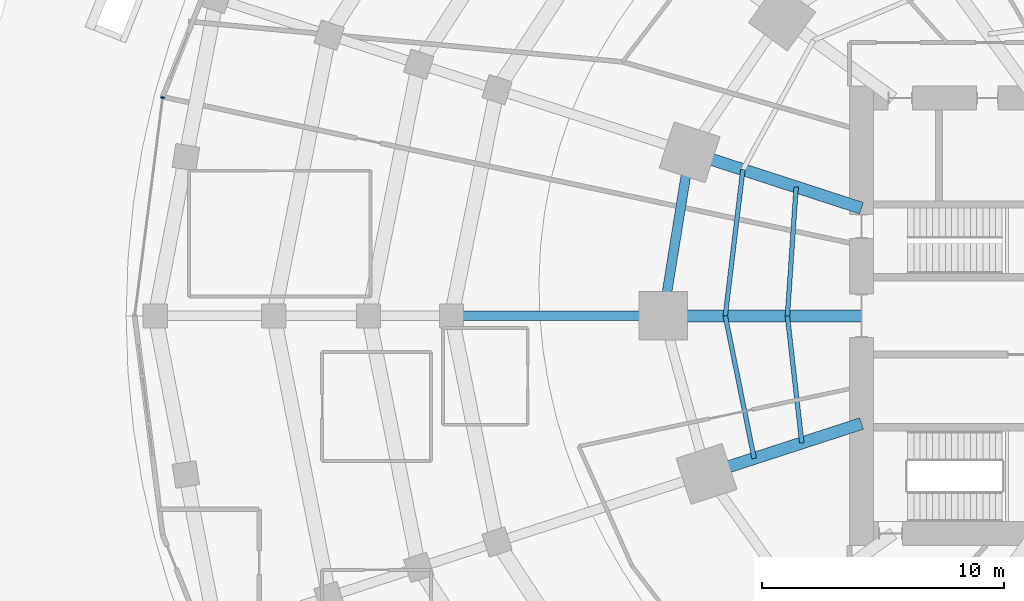
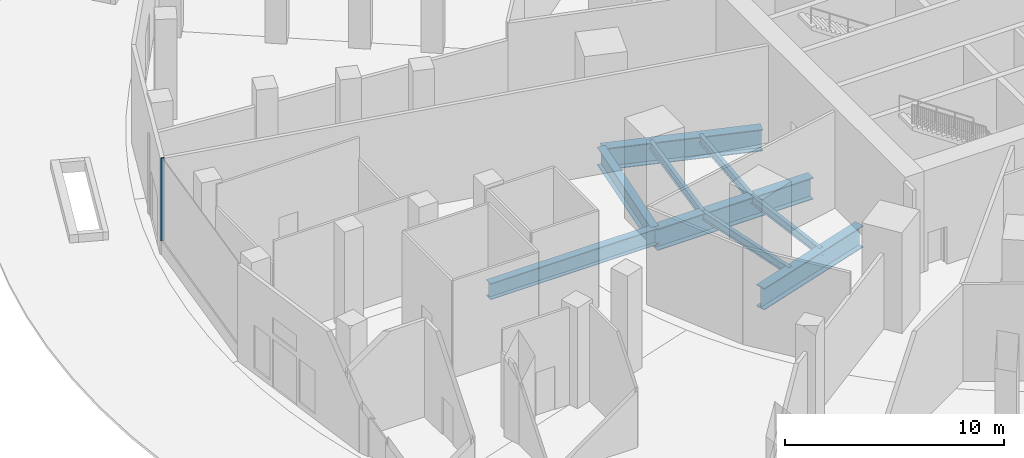
# One storey, part 7 of 23: 9 beams, 1 member, 1 element without a shape of its own.
"""IFC4 building model written with IfcOpenShell, lengths in metres."""

import ifcopenshell
import ifcopenshell.guid

model = None  # the IFC model being written
_history = None  # IfcOwnerHistory: only IFC2X3 demands one
_inside = {}  # id of a spatial element -> (the spatial element, [elements in it])
_under = {}  # id of a project, library or spatial element -> (it, [spatial elements below it])
_declared = {}  # id of a project -> (the project, [libraries it declares])
_typed = {}  # id of a type object -> (the type object, [elements of that type])
_made_of = {}  # id of a material, layer set ... -> (it, [elements and type objects made of it])


def new_model(schema):
    """Start an empty IFC model of exactly this schema.

    Asked for "IFC4X3", IfcOpenShell would pick the latest addendum, in which some entities
    have other attributes; the version numbers below select the first issue.
    IFC2X3 requires an IfcOwnerHistory on every rooted entity: one is made here for all.
    """
    global model, _history
    if schema == "IFC4X3":
        model = ifcopenshell.file(schema_version=(4, 3, 0, 0))
    else:
        model = ifcopenshell.file(schema=schema)
    _inside.clear()
    _under.clear()
    _declared.clear()
    _typed.clear()
    _made_of.clear()
    _history = None
    if model.schema == "IFC2X3":
        org = make("IfcOrganization", Name="unknown")
        user = make(
            "IfcPersonAndOrganization",
            ThePerson=make("IfcPerson", FamilyName="unknown"),
            TheOrganization=org,
        )
        app = make(
            "IfcApplication",
            ApplicationDeveloper=org,
            Version="unknown",
            ApplicationFullName="unknown",
            ApplicationIdentifier="unknown",
        )
        _history = make(
            "IfcOwnerHistory",
            OwningUser=user,
            OwningApplication=app,
            ChangeAction="ADDED",
            CreationDate=0,
        )
    return model


def make(cls, **values):
    """One entity of the class cls with the attributes given. An attribute that is None is left unset."""
    return model.create_entity(
        cls, **{name: value for name, value in values.items() if value is not None}
    )


def rooted(cls, **values):
    """An entity with a GlobalId (a new one), such as an element, a storey or a relation."""
    return make(cls, GlobalId=ifcopenshell.guid.new(), OwnerHistory=_history, **values)


def si_unit(unit_type, name, prefix=None):
    """IfcSIUnit, for example si_unit("LENGTHUNIT", "METRE", prefix="MILLI")."""
    return make("IfcSIUnit", UnitType=unit_type, Prefix=prefix, Name=name)


def assignment(units):
    """IfcUnitAssignment: the units of a project."""
    return None if units is None else make("IfcUnitAssignment", Units=units)


def point(xyz):
    """IfcCartesianPoint."""
    return None if xyz is None else make("IfcCartesianPoint", Coordinates=xyz)


def direction(xyz):
    """IfcDirection."""
    return None if xyz is None else make("IfcDirection", DirectionRatios=xyz)


def frame(location, z_axis=None, x_axis=None):
    """IfcAxis2Placement3D, a coordinate frame: its origin and axes. An axis left out is left unset."""
    return make(
        "IfcAxis2Placement3D",
        Location=point(location),
        Axis=direction(z_axis),
        RefDirection=direction(x_axis),
    )


def frame_2d(location, x_axis=None):
    """IfcAxis2Placement2D, a coordinate frame in the plane: its origin and x axis."""
    return make(
        "IfcAxis2Placement2D", Location=point(location), RefDirection=direction(x_axis)
    )


def origin():
    """The frame at (0, 0, 0) with its axes left unset."""
    return frame((0.0, 0.0, 0.0))


def origin_2d():
    """The frame at (0, 0) in the plane with its x axis left unset."""
    return frame_2d((0.0, 0.0))


def place(relative_to, where):
    """IfcLocalPlacement: puts the frame where relative to a parent placement (None: the world)."""
    return make(
        "IfcLocalPlacement", PlacementRelTo=relative_to, RelativePlacement=where
    )


def context(
    kind, dimensions, precision=None, world=None, true_north=None, identifier=None
):
    """IfcGeometricRepresentationContext, for example the 3D "Model" context."""
    return make(
        "IfcGeometricRepresentationContext",
        ContextIdentifier=identifier,
        ContextType=kind,
        CoordinateSpaceDimension=dimensions,
        Precision=precision,
        WorldCoordinateSystem=world,
        TrueNorth=true_north,
    )


def subcontext(parent, identifier, kind, view, scale=None):
    """IfcGeometricRepresentationSubContext, for example "Body" below "Model"."""
    return make(
        "IfcGeometricRepresentationSubContext",
        ContextIdentifier=identifier,
        ContextType=kind,
        ParentContext=parent,
        TargetScale=scale,
        TargetView=view,
    )


def project(units=None, contexts=None):
    """IfcProject with its units and contexts."""
    return rooted(
        "IfcProject",
        Name="project",
        RepresentationContexts=contexts,
        UnitsInContext=assignment(units),
    )


def spatial(cls, under=None, at=None, **own):
    """A site, building, storey or space (cls), placed at a placement, below another one or the project."""
    s = rooted(cls, ObjectPlacement=at, **own)
    if under is not None:
        _under.setdefault(under.id(), (under, []))[1].append(s)
    return s


def profile(cls, at=None, kind="AREA", **sizes):
    """A parametric profile (cls). Its sizes go by their IFC names, for example OverallWidth=200.0."""
    return make(cls, ProfileType=kind, Position=at, **sizes)


def rectangle(**sizes):
    """IfcRectangleProfileDef."""
    return profile("IfcRectangleProfileDef", **sizes)


def i_section(**sizes):
    """IfcIShapeProfileDef."""
    return profile("IfcIShapeProfileDef", **sizes)


def extrude(swept, where, along, depth):
    """IfcExtrudedAreaSolid: the profile swept, set in the frame where, extruded along a direction by depth."""
    return make(
        "IfcExtrudedAreaSolid",
        SweptArea=swept,
        Position=where,
        ExtrudedDirection=direction(along),
        Depth=depth,
    )


def shape(context_of_items, identifier, shape_type, items):
    """IfcShapeRepresentation: the items that make up one representation, for example the "Body"."""
    return make(
        "IfcShapeRepresentation",
        ContextOfItems=context_of_items,
        RepresentationIdentifier=identifier,
        RepresentationType=shape_type,
        Items=items,
    )


def material(Name=None, Category=None):
    """IfcMaterial."""
    return make("IfcMaterial", Name=Name, Category=Category)


def material_profile(
    of_material, cross_section, Name=None, Category=None, Priority=None
):
    """IfcMaterialProfile: a cross section and its material."""
    return make(
        "IfcMaterialProfile",
        Name=Name,
        Material=of_material,
        Profile=cross_section,
        Priority=Priority,
        Category=Category,
    )


def profile_set(profiles, Name=None, composite=None):
    """IfcMaterialProfileSet."""
    return make(
        "IfcMaterialProfileSet",
        Name=Name,
        MaterialProfiles=profiles,
        CompositeProfile=composite,
    )


def made_of(thing, what):
    """Note that an element or type object is made of a material, layer set ...; save() writes the relation."""
    if what is not None:
        _made_of.setdefault(what.id(), (what, []))[1].append(thing)
    return thing


def type_object(cls, material=None, **own):
    """A type object (cls), such as IfcWallType, which elements share."""
    return made_of(rooted(cls, **own), material)


def element(
    cls,
    number,
    at=None,
    inside=None,
    cuts=None,
    type_object=None,
    material=None,
    context=None,
    identifier="Body",
    shape_type=None,
    held_by="IfcProductDefinitionShape",
    body=None,
    shapes=None,
    **own,
):
    """One element of the class cls, such as IfcWall. Its Tag is "e" and its number.

    at: its placement. inside: the storey or other place that contains it. cuts: it is an
    opening in that element (IfcRelVoidsElement). A single representation is given by context,
    identifier, shape_type and body (its items); several are given by shapes. held_by: the class
    of the entity that holds the representations. save() writes the other relations.
    """
    e = rooted(cls, Tag="e%d" % number, ObjectPlacement=at, **own)
    if body is not None:
        shapes = [shape(context, identifier, shape_type, body)]
    if shapes is not None:
        e.Representation = make(held_by, Representations=shapes)
    if inside is not None:
        _inside.setdefault(inside.id(), (inside, []))[1].append(e)
    if cuts is not None:
        rooted(
            "IfcRelVoidsElement", RelatingBuildingElement=cuts, RelatedOpeningElement=e
        )
    if type_object is not None:
        _typed.setdefault(type_object.id(), (type_object, []))[1].append(e)
    return made_of(e, material)


def aggregate(whole, parts):
    """IfcRelAggregates: a whole, such as a stair, and the parts it consists of."""
    return rooted("IfcRelAggregates", RelatingObject=whole, RelatedObjects=parts)


def save(model, path):
    """Write the relations noted so far, then the file.

    IfcRelAggregates (storeys below a building ...), IfcRelContainedInSpatialStructure (elements
    in a storey), IfcRelDefinesByType, IfcRelAssociatesMaterial and IfcRelDeclares: one each for
    every whole, place, type object, material and project.
    """
    for whole, parts in _under.values():
        aggregate(whole, parts)
    for where, things in _inside.values():
        rooted(
            "IfcRelContainedInSpatialStructure",
            RelatedElements=things,
            RelatingStructure=where,
        )
    for kind, things in _typed.values():
        rooted("IfcRelDefinesByType", RelatedObjects=things, RelatingType=kind)
    for what, things in _made_of.values():
        rooted("IfcRelAssociatesMaterial", RelatedObjects=things, RelatingMaterial=what)
    for by, libraries in _declared.values():
        rooted("IfcRelDeclares", RelatingContext=by, RelatedDefinitions=libraries)
    model.write(path)


model = new_model("IFC4")

# Units and contexts
model_context = context("Model", 3, precision=1e-05, world=origin(), true_north=direction((0.0, 1.0)))
body_context = subcontext(model_context, "Body", "Model", "MODEL_VIEW")
ifc_project = project(units=[si_unit("LENGTHUNIT", "METRE"), si_unit("AREAUNIT", "SQUARE_METRE"), si_unit("VOLUMEUNIT", "CUBIC_METRE"), si_unit("PLANEANGLEUNIT", "RADIAN"), si_unit("MASSUNIT", "GRAM", prefix="KILO")], contexts=[model_context])

# Site, building, storey
site_placement = place(None, origin())
site = spatial("IfcSite", under=ifc_project, at=site_placement, CompositionType="ELEMENT")
building_placement = place(site_placement, origin())
building = spatial("IfcBuilding", under=site, at=building_placement, Name="Marramba Exchange Tower", CompositionType="ELEMENT")
storey_placement = place(building_placement, origin())
storey = spatial("IfcBuildingStorey", under=building, at=storey_placement, Name="L00", CompositionType="ELEMENT", Elevation=0.0)

# Curtain wall, member
ifc_material_1 = material(Name="Aluminium framing, bronze anodised", Category="aluminium")
curtain_wall_type = type_object("IfcCurtainWallType", Name="Exchange hall glazed wall", PredefinedType="USERDEFINED", material=ifc_material_1)
curtain_wall_placement = place(storey_placement, origin())
curtain_wall = element("IfcCurtainWall", 1, at=curtain_wall_placement, inside=storey, type_object=curtain_wall_type, Name="Curtain wall CW1 L00 F15", ObjectType="RIBBON CURTAIN WALL", PredefinedType="USERDEFINED")
ifc_material_2 = material(Name="Aluminium mullion, bronze anodised", Category="aluminium")
ifc_material_profile_1 = material_profile(ifc_material_2, rectangle(XDim=0.159912109375, YDim=0.06005859375, at=origin_2d()), Name="CW1 mullion 60x160")
ifc_profile_set_1 = profile_set([ifc_material_profile_1], Name="Aluminium mullion, bronze anodised")
member_type = type_object("IfcMemberType", Name="Exchange hall glazed wall mullion", PredefinedType="MULLION", material=ifc_profile_set_1)
member_placement = place(storey_placement, frame((-42.59423828125, 9.023193359375, 0.800048828125), z_axis=(0.0, 0.0, 1.0), x_axis=(0.99189493419, -0.127060771002, 0.0)))
member = element("IfcMember", 2, at=member_placement, type_object=member_type, Name="CW1 mullion 1", PredefinedType="MULLION", context=body_context, shape_type="SweptSolid", body=[
    extrude(rectangle(XDim=0.159912109375, YDim=0.06005859375, at=origin_2d()), origin(), (0.0, 0.0, 1.0), 4.599853515625),
])
aggregate(curtain_wall, [member])

# Beams
ifc_material_3 = material(Name="Steel AS/NZS 3679.1 grade 300", Category="steel")
ifc_material_profile_2 = material_profile(ifc_material_3, i_section(OverallWidth=0.18994140625, OverallDepth=0.4541015625, WebThickness=0.008544921875, FlangeThickness=0.0126953125, FilletRadius=0.011474609375, at=origin_2d()), Name="460UB67.1")
ifc_profile_set_2 = profile_set([ifc_material_profile_2], Name="Steel AS/NZS 3679.1 grade 300")
beam_type_1 = type_object("IfcBeamType", Name="Floor joist 460UB67.1", PredefinedType="JOIST", material=ifc_profile_set_2)
beam_1_placement = place(storey_placement, frame((-16.40283203125, 5.32958984375, -0.427001953125), z_axis=(-0.068096259546, -0.99767875563, 0.0), x_axis=(0.99767875563, -0.068096259546, 0.0)))
element("IfcBeam", 3, at=beam_1_placement, inside=storey, type_object=beam_type_1, Name="Joist L00 bay 10 row 1", PredefinedType="JOIST", context=body_context, shape_type="SweptSolid", body=[
    extrude(i_section(OverallWidth=0.18994140625, OverallDepth=0.4541015625, WebThickness=0.008544921875, FlangeThickness=0.0126953125, FilletRadius=0.011474609375, at=origin_2d()), origin(), (0.0, 0.0, 1.0), 5.342041015625),
])
beam_2_placement = place(storey_placement, frame((-18.60546875, 6.04541015625, -0.427001953125), z_axis=(-0.119523078538, -0.992831422597, 0.0), x_axis=(0.992831422597, -0.119523078538, 0.0)))
element("IfcBeam", 4, at=beam_2_placement, inside=storey, type_object=beam_type_1, Name="Joist L00 bay 10 row 2", PredefinedType="JOIST", context=body_context, shape_type="SweptSolid", body=[
    extrude(i_section(OverallWidth=0.18994140625, OverallDepth=0.4541015625, WebThickness=0.008544921875, FlangeThickness=0.0126953125, FilletRadius=0.011474609375, at=origin_2d()), origin(), (0.0, 0.0, 1.0), 6.089111328125),
])
beam_3_placement = place(storey_placement, frame((-16.7666015625, 0.0, -0.427001953125), z_axis=(0.112888968594, -0.993607609054, 0.0), x_axis=(0.993607609054, 0.112888968594, 0.0)))
element("IfcBeam", 5, at=beam_3_placement, inside=storey, type_object=beam_type_1, Name="Joist L00 bay 11 row 1", PredefinedType="JOIST", context=body_context, shape_type="SweptSolid", body=[
    extrude(i_section(OverallWidth=0.18994140625, OverallDepth=0.4541015625, WebThickness=0.008544921875, FlangeThickness=0.0126953125, FilletRadius=0.011474609375, at=origin_2d()), origin(), (0.0, 0.0, 1.0), 5.28759765625),
])
beam_4_placement = place(storey_placement, frame((-19.333251953125, 0.0, -0.427001953125), z_axis=(0.198489047047, -0.980103105904, 0.0), x_axis=(0.980103105904, 0.198489047047, 0.0)))
element("IfcBeam", 6, at=beam_4_placement, inside=storey, type_object=beam_type_1, Name="Joist L00 bay 11 row 2", PredefinedType="JOIST", context=body_context, shape_type="SweptSolid", body=[
    extrude(i_section(OverallWidth=0.18994140625, OverallDepth=0.4541015625, WebThickness=0.008544921875, FlangeThickness=0.0126953125, FilletRadius=0.011474609375, at=origin_2d()), origin(), (0.0, 0.0, 1.0), 6.013427734375),
])
ifc_material_4 = material(Name="Steel AS/NZS 3679.2 grade 300", Category="steel")
ifc_material_profile_3 = material_profile(ifc_material_4, i_section(OverallWidth=0.5, OverallDepth=1.199951171875, WebThickness=0.01611328125, FlangeThickness=0.0400390625, at=origin_2d()), Name="1200WB455")
ifc_profile_set_3 = profile_set([ifc_material_profile_3], Name="Steel AS/NZS 3679.2 grade 300")
beam_type_2 = type_object("IfcBeamType", Name="Radial girder 1200WB455", PredefinedType="BEAM", material=ifc_profile_set_3)
beam_5_placement = place(storey_placement, frame((-13.699951171875, 4.451416015625, -0.800048828125), z_axis=(-0.951059990189, 0.309006302624, 0.0), x_axis=(-0.309006302624, -0.951059990189, 0.0)))
element("IfcBeam", 7, at=beam_5_placement, inside=storey, type_object=beam_type_2, Name="Radial girder L00 TC10", PredefinedType="BEAM", context=body_context, shape_type="SweptSolid", body=[
    extrude(i_section(OverallWidth=0.5, OverallDepth=1.199951171875, WebThickness=0.01611328125, FlangeThickness=0.0400390625, at=origin_2d()), origin(), (0.0, 0.0, 1.0), 7.47412109375),
])
beam_6_placement = place(storey_placement, frame((-13.699951171875, 0.0, -0.800048828125), z_axis=(-1.0, 0.0, 0.0), x_axis=(0.0, -1.0, 0.0)))
element("IfcBeam", 8, at=beam_6_placement, inside=storey, type_object=beam_type_2, Name="Radial girder L00 TC11", PredefinedType="BEAM", context=body_context, shape_type="SweptSolid", body=[
    extrude(i_section(OverallWidth=0.5, OverallDepth=1.199951171875, WebThickness=0.01611328125, FlangeThickness=0.0400390625, at=origin_2d()), origin(), (0.0, 0.0, 1.0), 8.199951171875),
])
beam_7_placement = place(storey_placement, frame((-13.699951171875, -4.451416015625, -0.800048828125), z_axis=(-0.951057759669, -0.309013167637, 0.0), x_axis=(0.309013167637, -0.951057759669, 0.0)))
element("IfcBeam", 9, at=beam_7_placement, inside=storey, type_object=beam_type_2, Name="Radial girder L00 TC12", PredefinedType="BEAM", context=body_context, shape_type="SweptSolid", body=[
    extrude(i_section(OverallWidth=0.5, OverallDepth=1.199951171875, WebThickness=0.01611328125, FlangeThickness=0.0400390625, at=origin_2d()), origin(), (0.0, 0.0, 1.0), 6.7392578125),
])
ifc_material_profile_4 = material_profile(ifc_material_4, i_section(OverallWidth=0.39990234375, OverallDepth=0.89990234375, WebThickness=0.01611328125, FlangeThickness=0.031982421875, at=origin_2d()), Name="900WB282")
ifc_profile_set_4 = profile_set([ifc_material_profile_4], Name="Steel AS/NZS 3679.2 grade 300")
beam_type_3 = type_object("IfcBeamType", Name="Radial girder 900WB282", PredefinedType="BEAM", material=ifc_profile_set_4)
beam_8_placement = place(storey_placement, frame((-30.64990234375, 0.0, -0.64990234375), z_axis=(1.0, 0.0, 0.0), x_axis=(0.0, 1.0, 0.0)))
element("IfcBeam", 10, at=beam_8_placement, inside=storey, type_object=beam_type_3, Name="Radial girder L00 P3C11", PredefinedType="BEAM", context=body_context, shape_type="SweptSolid", body=[
    extrude(i_section(OverallWidth=0.39990234375, OverallDepth=0.89990234375, WebThickness=0.01611328125, FlangeThickness=0.031982421875, at=origin_2d()), origin(), (0.0, 0.0, 1.0), 8.75),
])
ifc_material_profile_5 = material_profile(ifc_material_4, i_section(OverallWidth=0.39990234375, OverallDepth=1.0, WebThickness=0.01611328125, FlangeThickness=0.031982421875, at=origin_2d()), Name="1000WB322")
ifc_profile_set_5 = profile_set([ifc_material_profile_5], Name="Steel AS/NZS 3679.2 grade 300")
beam_type_4 = type_object("IfcBeamType", Name="Ring beam 1000WB322", PredefinedType="SPANDREL", material=ifc_profile_set_5)
beam_9_placement = place(storey_placement, frame((-20.808349609375, 6.760986328125, -0.699951171875), z_axis=(-0.159384865399, -0.987216523708, 0.0), x_axis=(0.987216523708, -0.159384865399, 0.0)))
element("IfcBeam", 11, at=beam_9_placement, inside=storey, type_object=beam_type_4, Name="Ring beam L00 TC10-TC11", PredefinedType="SPANDREL", context=body_context, shape_type="SweptSolid", body=[
    extrude(i_section(OverallWidth=0.39990234375, OverallDepth=1.0, WebThickness=0.01611328125, FlangeThickness=0.031982421875, at=origin_2d()), origin(), (0.0, 0.0, 1.0), 6.8486328125),
])

save(model, "model.ifc")
